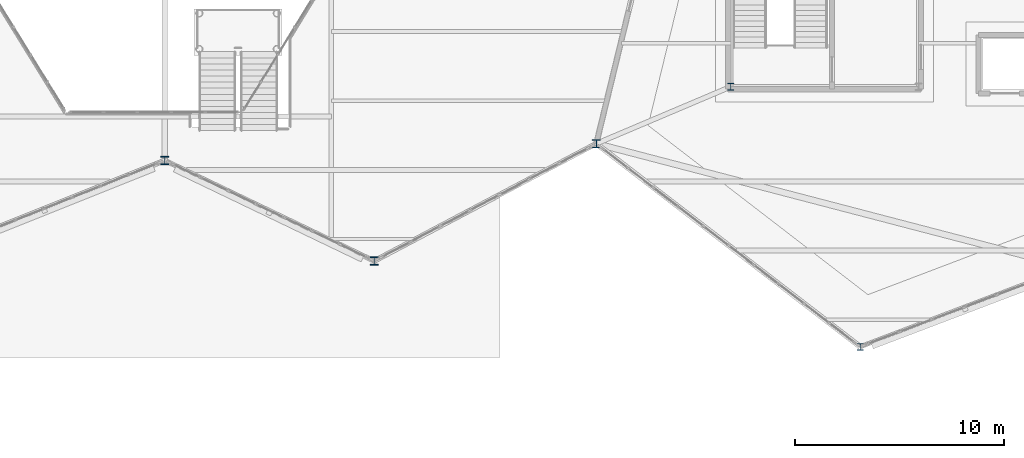
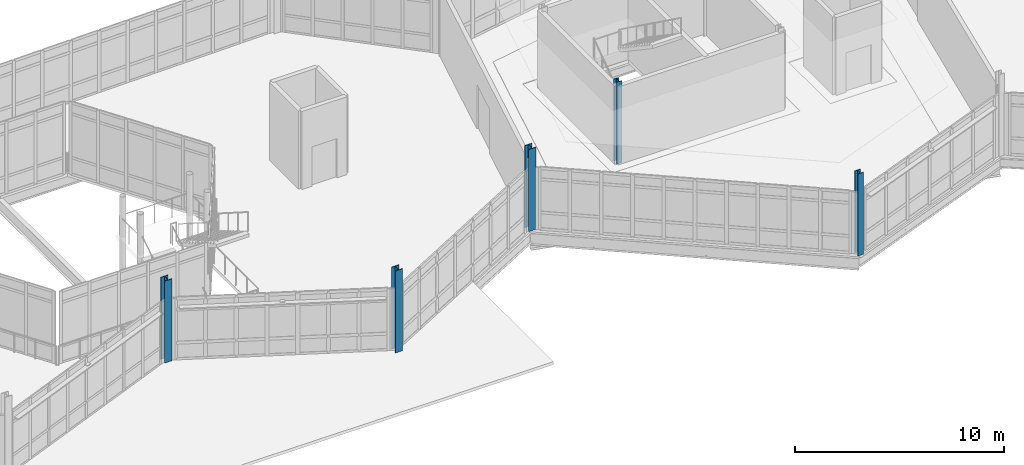
# One storey, part 9 of 134: 5 columns.
"""IFC4 building model written with IfcOpenShell, lengths in metres."""

from ifc_helpers import new_model, si_unit, direction, frame, origin, origin_2d, place, context, subcontext, project, spatial, i_section, extrude, material, material_profile, profile_set, type_object, element, save


model = new_model("IFC4")

# Units and contexts
model_context = context("Model", 3, precision=1e-05, world=origin(), true_north=direction((0.0, 1.0)))
body_context = subcontext(model_context, "Body", "Model", "MODEL_VIEW")
ifc_project = project(units=[si_unit("LENGTHUNIT", "METRE"), si_unit("AREAUNIT", "SQUARE_METRE"), si_unit("VOLUMEUNIT", "CUBIC_METRE"), si_unit("PLANEANGLEUNIT", "RADIAN"), si_unit("MASSUNIT", "GRAM", prefix="KILO")], contexts=[model_context])

# Site, building, storey
site_placement = place(None, origin())
site = spatial("IfcSite", under=ifc_project, at=site_placement, CompositionType="ELEMENT")
building_placement = place(site_placement, origin())
building = spatial("IfcBuilding", under=site, at=building_placement, Name="Tameran Prism Museum", CompositionType="ELEMENT")
storey_placement = place(building_placement, frame((0.0, 0.0, 5.39990234375)))
storey = spatial("IfcBuildingStorey", under=building, at=storey_placement, Name="L01", CompositionType="ELEMENT", Elevation=5.39990234375)

# Columns
ifc_material_1 = material(Name="Steel Grade 300PLUS (300 MPa)", Category="steel")
ifc_material_profile_1 = material_profile(ifc_material_1, i_section(OverallWidth=0.306884765625, OverallDepth=0.31494140625, WebThickness=0.011962890625, FlangeThickness=0.018798828125, FilletRadius=0.0166015625, at=origin_2d()))
ifc_profile_set_1 = profile_set([ifc_material_profile_1])
column_type_1 = type_object("IfcColumnType", Name="COL-UC310C", PredefinedType="COLUMN", material=ifc_profile_set_1)
for number, where, z_axis, x_axis, name in (
    (1, (110.699951171875, 18.5, 0.0), (0.0, 0.0, 1.0), (1.0, 0.0, 0.0), "Column CV-44 L01"),
    (2, (104.52001953125, 30.919921875, 0.0), (0.0, 0.0, 1.0), (1.0, 0.0, 0.0), "Column CC-4-1 L01"),
):
    element("IfcColumn", number, at=place(storey_placement, frame(where, z_axis=z_axis, x_axis=x_axis)), inside=storey, type_object=column_type_1, Name=name, PredefinedType="COLUMN", context=body_context, shape_type="SweptSolid", body=[
        extrude(i_section(OverallWidth=0.306884765625, OverallDepth=0.31494140625, WebThickness=0.011962890625, FlangeThickness=0.018798828125, FilletRadius=0.0166015625, at=origin_2d()), origin(), (0.0, 0.0, 1.0), 4.800048828125),
    ])
ifc_material_2 = material(Name="Steel Grade 350 (350 MPa)", Category="steel")
ifc_material_profile_2 = material_profile(ifc_material_2, i_section(OverallWidth=0.39990234375, OverallDepth=0.39990234375, WebThickness=0.02197265625, FlangeThickness=0.035888671875, at=origin_2d()))
ifc_profile_set_2 = profile_set([ifc_material_profile_2])
column_type_2 = type_object("IfcColumnType", Name="COL-WC400", PredefinedType="COLUMN", material=ifc_profile_set_2)
for number, where, z_axis, x_axis, name in (
    (3, (77.5, 27.39990234375, 0.0), (0.0, 0.0, 1.0), (1.0, 0.0, 0.0), "Column CV-34 L01"),
    (4, (87.5, 22.60009765625, 0.0), (0.0, 0.0, 1.0), (1.0, 0.0, 0.0), "Column CV-36 L01"),
    (5, (98.10009765625, 28.199951171875, 0.0), (0.0, 0.0, 1.0), (1.0, 0.0, 0.0), "Column CV-39 L01"),
):
    element("IfcColumn", number, at=place(storey_placement, frame(where, z_axis=z_axis, x_axis=x_axis)), inside=storey, type_object=column_type_2, Name=name, PredefinedType="COLUMN", context=body_context, shape_type="SweptSolid", body=[
        extrude(i_section(OverallWidth=0.39990234375, OverallDepth=0.39990234375, WebThickness=0.02197265625, FlangeThickness=0.035888671875, at=origin_2d()), origin(), (0.0, 0.0, 1.0), 4.800048828125),
    ])

save(model, "model.ifc")
